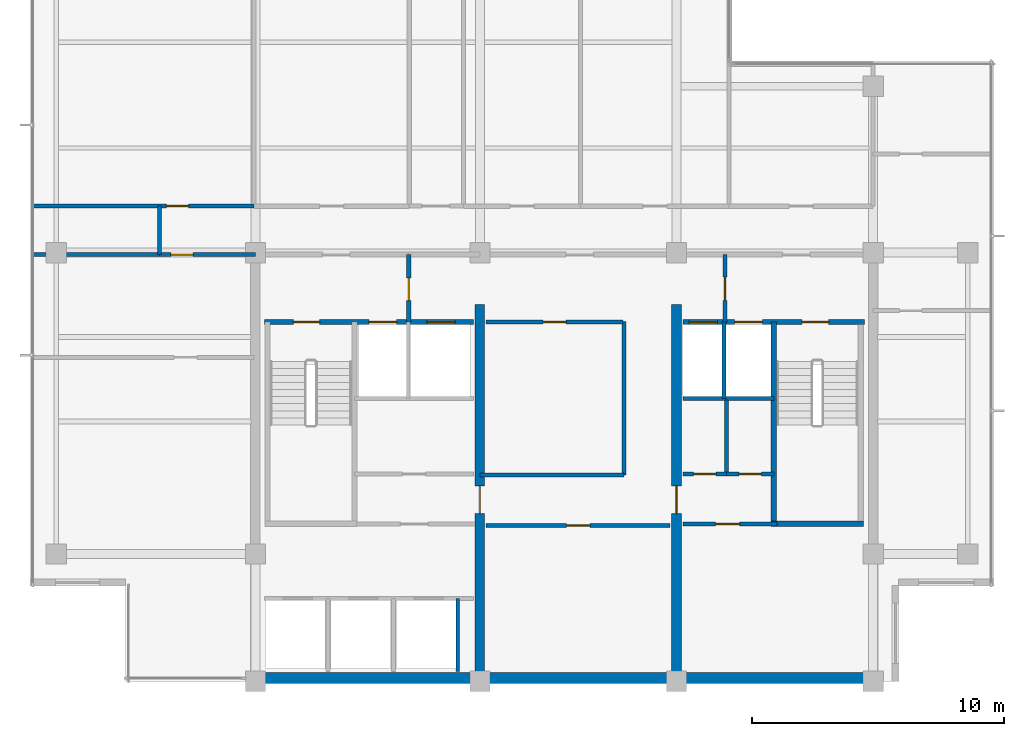
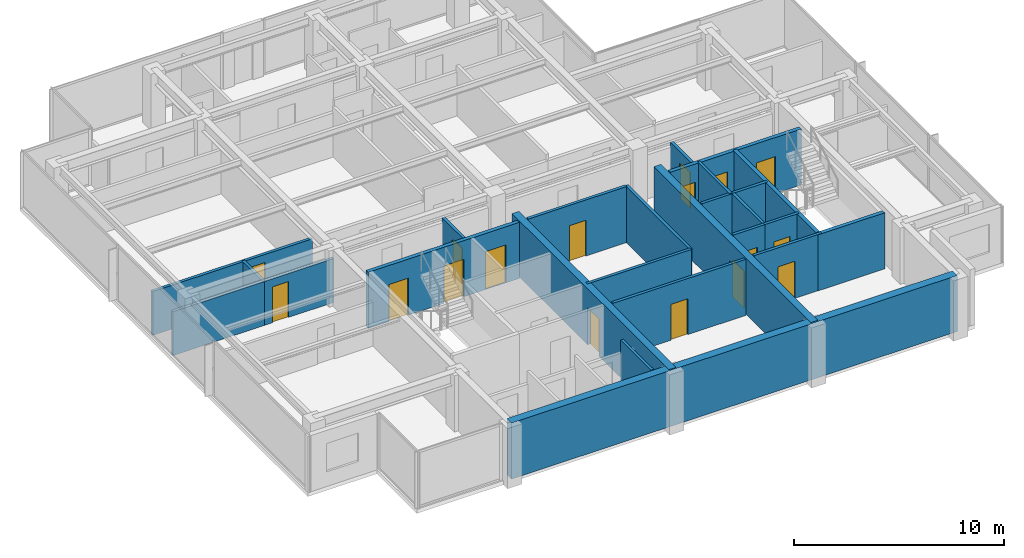
# One storey, part 6 of 11: 24 walls, 17 doors, 17 openings.
"""IFC4 building model written with IfcOpenShell, lengths in metres."""

from ifc_helpers import new_model, si_unit, direction, frame, frame_2d, origin, place, context, subcontext, project, spatial, rectangle, extrude, material, layer, layer_set, type_object, element, fill, save


model = new_model("IFC4")

# Units and contexts
model_context = context("Model", 3, precision=1e-05, world=origin(), true_north=direction((0.0, 1.0)))
body_context = subcontext(model_context, "Body", "Model", "MODEL_VIEW")
ifc_project = project(units=[si_unit("LENGTHUNIT", "METRE"), si_unit("AREAUNIT", "SQUARE_METRE"), si_unit("VOLUMEUNIT", "CUBIC_METRE"), si_unit("PLANEANGLEUNIT", "RADIAN"), si_unit("MASSUNIT", "GRAM", prefix="KILO")], contexts=[model_context])

# Site, building, storey
site_placement = place(None, origin())
site = spatial("IfcSite", under=ifc_project, at=site_placement, CompositionType="ELEMENT")
building_placement = place(site_placement, origin())
building = spatial("IfcBuilding", under=site, at=building_placement, Name="Qalmaran Belvedere Hotel", CompositionType="ELEMENT")
storey_placement = place(building_placement, frame((0.0, 0.0, 263.39990234375)))
storey = spatial("IfcBuildingStorey", under=building, at=storey_placement, Name="L68", CompositionType="ELEMENT", Elevation=263.39990234375)

# Wall, opening, door
ifc_material_1 = material(Name="Concrete C50/60", Category="concrete")
ifc_layer_1 = layer(ifc_material_1, 0.3798828125, Name="Concrete C50/60")
ifc_layer_set_1 = layer_set([ifc_layer_1], Name="Concrete C50/60")
wall_type_1 = type_object("IfcWallType", Name="WL-CORE-380-C50", PredefinedType="SHEAR", material=ifc_layer_set_1)
wall_1_placement = place(storey_placement, frame((29.199951171875, 3.5, 0.0), z_axis=(0.0, 0.0, 1.0), x_axis=(0.0, 1.0, 0.0)))
wall_1 = element("IfcWall", 1, at=wall_1_placement, inside=storey, type_object=wall_type_1, Name="L68 Core West Spine Shear Wall", PredefinedType="SHEAR", context=body_context, shape_type="SweptSolid", body=[
    extrude(rectangle(XDim=14.949951171875, YDim=0.3798828125, at=frame_2d((7.47509765625, 0.0))), origin(), (0.0, 0.0, 1.0), 3.260009765625),
])
opening_1_placement = place(wall_1_placement, frame((7.75, 0.0, 0.0), z_axis=(0.0, 0.0, 1.0), x_axis=(-1.0, 0.0, 0.0)))
opening_1 = element("IfcOpeningElement", 2, at=opening_1_placement, cuts=wall_1, Name="Opening FD90", PredefinedType="OPENING", context=body_context, shape_type="SweptSolid", body=[
    extrude(rectangle(XDim=1.10009765625, YDim=2.14990234375, at=frame_2d((0.550048828125, 1.074951171875))), frame((0.0, 0.199951171875, 0.0), z_axis=(0.0, -1.0, 0.0), x_axis=(1.0, 0.0, 0.0)), (0.0, 0.0, 1.0), 0.39990234375),
])
ifc_material_2 = material(Name="Steel S355JR", Category="steel")
door_type_1 = type_object("IfcDoorType", Name="DR-FD90-1100X2150", OperationType="NOTDEFINED", PredefinedType="DOOR", material=ifc_material_2)
door_1_placement = place(opening_1_placement, origin())
door_1 = element("IfcDoor", 3, at=door_1_placement, inside=storey, type_object=door_type_1, Name="L68 Core West Cross-Lobby Door", OperationType="SINGLE_SWING_LEFT", OverallHeight=2.14990234375, OverallWidth=1.10009765625, PredefinedType="DOOR", context=body_context, shape_type="SweptSolid", body=[
    extrude(rectangle(XDim=1.10009765625, YDim=2.14990234375, at=frame_2d((0.550048828125, 1.074951171875))), frame((0.0, 0.02490234375, 0.0), z_axis=(0.0, -1.0, 0.0), x_axis=(1.0, 0.0, 0.0)), (0.0, 0.0, 1.0), 0.050048828125),
])
fill(opening_1, door_1)

wall_2_placement = place(storey_placement, frame((37.0, 3.5, 0.0), z_axis=(0.0, 0.0, 1.0), x_axis=(0.0, 1.0, 0.0)))
wall_2 = element("IfcWall", 4, at=wall_2_placement, inside=storey, type_object=wall_type_1, Name="L68 Core East Spine Shear Wall", PredefinedType="SHEAR", context=body_context, shape_type="SweptSolid", body=[
    extrude(rectangle(XDim=14.949951171875, YDim=0.3798828125, at=frame_2d((7.47509765625, 0.0))), origin(), (0.0, 0.0, 1.0), 3.260009765625),
])
opening_2_placement = place(wall_2_placement, frame((6.64990234375, 0.0, 0.0)))
opening_2 = element("IfcOpeningElement", 5, at=opening_2_placement, cuts=wall_2, Name="Opening FD90", PredefinedType="OPENING", context=body_context, shape_type="SweptSolid", body=[
    extrude(rectangle(XDim=1.10009765625, YDim=2.14990234375, at=frame_2d((0.550048828125, 1.074951171875))), frame((0.0, 0.199951171875, 0.0), z_axis=(0.0, -1.0, 0.0), x_axis=(1.0, 0.0, 0.0)), (0.0, 0.0, 1.0), 0.39990234375),
])
door_2_placement = place(opening_2_placement, origin())
door_2 = element("IfcDoor", 6, at=door_2_placement, inside=storey, type_object=door_type_1, Name="L68 Core East Cross-Lobby Door", OperationType="SINGLE_SWING_RIGHT", OverallHeight=2.14990234375, OverallWidth=1.10009765625, PredefinedType="DOOR", context=body_context, shape_type="SweptSolid", body=[
    extrude(rectangle(XDim=1.10009765625, YDim=2.14990234375, at=frame_2d((0.550048828125, 1.074951171875))), frame((0.0, 0.02490234375, 0.0), z_axis=(0.0, -1.0, 0.0), x_axis=(1.0, 0.0, 0.0)), (0.0, 0.0, 1.0), 0.050048828125),
])
fill(opening_2, door_2)

# Walls
ifc_layer_2 = layer(ifc_material_1, 0.43994140625, Name="Concrete C50/60")
ifc_layer_set_2 = layer_set([ifc_layer_2], Name="Concrete C50/60")
wall_type_2 = type_object("IfcWallType", Name="WL-CORES-440-EXT", PredefinedType="SHEAR", material=ifc_layer_set_2)
wall_3_placement = place(storey_placement, frame((20.300048828125, 3.6298828125, 0.0), z_axis=(0.0, 0.0, 1.0), x_axis=(1.0, 0.0, 0.0)))
element("IfcWall", 7, at=wall_3_placement, inside=storey, type_object=wall_type_2, Name="L68 South Core Shear Wall", PredefinedType="SHEAR", context=body_context, shape_type="SweptSolid", body=[
    extrude(rectangle(XDim=24.5, YDim=0.43994140625, at=frame_2d((12.25, 0.0))), origin(), (0.0, 0.0, 1.0), 3.260009765625),
])
ifc_material_3 = material(Name="Gypsum Stud Partition")
ifc_layer_3 = layer(ifc_material_3, 0.14990234375, Name="Gypsum Stud Partition")
ifc_layer_set_3 = layer_set([ifc_layer_3], Name="Gypsum Stud Partition")
wall_type_3 = type_object("IfcWallType", Name="WL-INT-150-EI120", PredefinedType="PARTITIONING", material=ifc_layer_set_3)
wall_4_placement = place(storey_placement, frame((38.8798828125, 14.719970703125, 0.0), z_axis=(0.0, 0.0, 1.0), x_axis=(0.0, 1.0, 0.0)))
element("IfcWall", 8, at=wall_4_placement, inside=storey, type_object=wall_type_3, Name="L68 Partition WL-FF2M-L68", PredefinedType="PARTITIONING", context=body_context, shape_type="SweptSolid", body=[
    extrude(rectangle(XDim=3.0400390625, YDim=0.14990234375, at=frame_2d((1.52001953125, 0.0))), origin(), (0.0, 0.0, 1.0), 3.260009765625),
])
wall_5_placement = place(storey_placement, frame((28.320068359375, 3.89990234375, 0.0), z_axis=(0.0, 0.0, 1.0), x_axis=(0.0, 1.0, 0.0)))
element("IfcWall", 9, at=wall_5_placement, inside=storey, type_object=wall_type_3, Name="L68 Partition WL-POM3-L68", PredefinedType="PARTITIONING", context=body_context, shape_type="SweptSolid", body=[
    extrude(rectangle(XDim=2.880126953125, YDim=0.14990234375, at=frame_2d((1.43994140625, 0.0))), origin(), (0.0, 0.0, 1.0), 3.260009765625),
])
ifc_layer_4 = layer(ifc_material_3, 0.14990234375, Name="Gypsum Stud Partition")
ifc_layer_set_4 = layer_set([ifc_layer_4], Name="Gypsum Stud Partition")
wall_type_4 = type_object("IfcWallType", Name="WL-INT-150-EI60", PredefinedType="PARTITIONING", material=ifc_layer_set_4)
wall_6_placement = place(storey_placement, frame((38.98291015625, 11.719970703125, 0.0), z_axis=(0.0, 0.0, 1.0), x_axis=(0.0, 1.0, 0.0)))
element("IfcWall", 10, at=wall_6_placement, inside=storey, type_object=wall_type_4, Name="L68 Partition WL-L68-KEV1", PredefinedType="PARTITIONING", context=body_context, shape_type="SweptSolid", body=[
    extrude(rectangle(XDim=2.929931640625, YDim=0.14990234375, at=frame_2d((1.46484375, 0.0))), origin(), (0.0, 0.0, 1.0), 3.260009765625),
])

# Wall, opening, door
ifc_layer_5 = layer(ifc_material_3, 0.159912109375, Name="Gypsum Stud Partition")
ifc_layer_set_5 = layer_set([ifc_layer_5], Name="Gypsum Stud Partition")
wall_type_5 = type_object("IfcWallType", Name="WL-INT-160-EI120", PredefinedType="PARTITIONING", material=ifc_layer_set_5)
wall_7_placement = place(storey_placement, frame((26.3798828125, 17.760009765625, 0.0), z_axis=(0.0, 0.0, 1.0), x_axis=(0.0, 1.0, 0.0)))
wall_7 = element("IfcWall", 11, at=wall_7_placement, inside=storey, type_object=wall_type_5, Name="L68 Partition WL-FFSV1-L68", PredefinedType="PARTITIONING", context=body_context, shape_type="SweptSolid", body=[
    extrude(rectangle(XDim=2.659912109375, YDim=0.159912109375, at=frame_2d((1.330078125, 0.0))), origin(), (0.0, 0.0, 1.0), 2.781982421875),
])
opening_3_placement = place(wall_7_placement, frame((0.85009765625, 0.0, 0.0)))
opening_3 = element("IfcOpeningElement", 12, at=opening_3_placement, cuts=wall_7, Name="Opening FD60B", PredefinedType="OPENING", context=body_context, shape_type="SweptSolid", body=[
    extrude(rectangle(XDim=0.8798828125, YDim=2.080078125, at=frame_2d((0.43994140625, 1.0400390625))), frame((0.0, 0.08984375, 0.0), z_axis=(0.0, -1.0, 0.0), x_axis=(1.0, 0.0, 0.0)), (0.0, 0.0, 1.0), 0.179931640625),
])
door_type_2 = type_object("IfcDoorType", Name="DR-FD60B-880X2080", OperationType="NOTDEFINED", PredefinedType="DOOR", material=ifc_material_2)
door_3_placement = place(opening_3_placement, origin())
door_3 = element("IfcDoor", 13, at=door_3_placement, inside=storey, type_object=door_type_2, Name="L68 Service Lobby West Door", OperationType="SINGLE_SWING_LEFT", OverallHeight=2.080078125, OverallWidth=0.8798828125, PredefinedType="DOOR", context=body_context, shape_type="SweptSolid", body=[
    extrude(rectangle(XDim=0.8798828125, YDim=2.080078125, at=frame_2d((0.43994140625, 1.0400390625))), frame((0.0, 0.02490234375, 0.0), z_axis=(0.0, -1.0, 0.0), x_axis=(1.0, 0.0, 0.0)), (0.0, 0.0, 1.0), 0.050048828125),
])
fill(opening_3, door_3)

wall_8_placement = place(storey_placement, frame((38.919921875, 17.760009765625, 0.0), z_axis=(0.0, 0.0, 1.0), x_axis=(0.0, 1.0, 0.0)))
wall_8 = element("IfcWall", 14, at=wall_8_placement, inside=storey, type_object=wall_type_5, Name="L68 Partition WL-FFSV2-L68", PredefinedType="PARTITIONING", context=body_context, shape_type="SweptSolid", body=[
    extrude(rectangle(XDim=2.659912109375, YDim=0.159912109375, at=frame_2d((1.330078125, 0.0))), origin(), (0.0, 0.0, 1.0), 2.781982421875),
])
opening_4_placement = place(wall_8_placement, frame((1.77001953125, 0.0, 0.0), z_axis=(0.0, 0.0, 1.0), x_axis=(-1.0, 0.0, 0.0)))
opening_4 = element("IfcOpeningElement", 15, at=opening_4_placement, cuts=wall_8, Name="Opening FD60S1", PredefinedType="OPENING", context=body_context, shape_type="SweptSolid", body=[
    extrude(rectangle(XDim=0.919921875, YDim=2.080078125, at=frame_2d((0.4599609375, 1.0400390625))), frame((0.0, 0.08984375, 0.0), z_axis=(0.0, -1.0, 0.0), x_axis=(1.0, 0.0, 0.0)), (0.0, 0.0, 1.0), 0.179931640625),
])
ifc_material_4 = material(Name="Engineered Oak Veneer")
door_type_3 = type_object("IfcDoorType", Name="DR-FD60S-920X2080", OperationType="NOTDEFINED", PredefinedType="DOOR", material=ifc_material_4)
door_4_placement = place(opening_4_placement, origin())
door_4 = element("IfcDoor", 16, at=door_4_placement, inside=storey, type_object=door_type_3, Name="L68 Service Lobby East Door", OperationType="SINGLE_SWING_RIGHT", OverallHeight=2.080078125, OverallWidth=0.919921875, PredefinedType="DOOR", context=body_context, shape_type="SweptSolid", body=[
    extrude(rectangle(XDim=0.919921875, YDim=2.080078125, at=frame_2d((0.4599609375, 1.0400390625))), frame((0.0, 0.02490234375, 0.0), z_axis=(0.0, -1.0, 0.0), x_axis=(1.0, 0.0, 0.0)), (0.0, 0.0, 1.0), 0.050048828125),
])
fill(opening_4, door_4)

# Wall
wall_9_placement = place(storey_placement, frame((37.25, 14.719970703125, 0.0), z_axis=(0.0, 0.0, 1.0), x_axis=(1.0, 0.0, 0.0)))
element("IfcWall", 17, at=wall_9_placement, inside=storey, type_object=wall_type_5, Name="L68 Partition WL-FF2S-L68", PredefinedType="PARTITIONING", context=body_context, shape_type="SweptSolid", body=[
    extrude(rectangle(XDim=3.610107421875, YDim=0.159912109375, at=frame_2d((1.80517578125, 0.0))), origin(), (0.0, 0.0, 1.0), 3.260009765625),
])

# Wall, opening, door
ifc_layer_6 = layer(ifc_material_3, 0.159912109375, Name="Gypsum Stud Partition")
ifc_layer_set_6 = layer_set([ifc_layer_6], Name="Gypsum Stud Partition")
wall_type_6 = type_object("IfcWallType", Name="WL-INT-160-EI60", PredefinedType="PARTITIONING", material=ifc_layer_set_6)
wall_10_placement = place(storey_placement, frame((37.25, 11.719970703125, 0.0), z_axis=(0.0, 0.0, 1.0), x_axis=(1.0, 0.0, 0.0)))
wall_10 = element("IfcWall", 18, at=wall_10_placement, inside=storey, type_object=wall_type_6, Name="L68 Partition WL-L68-KEE1", PredefinedType="PARTITIONING", context=body_context, shape_type="SweptSolid", body=[
    extrude(rectangle(XDim=1.73291015625, YDim=0.159912109375, at=frame_2d((0.866455078125, 0.0))), origin(), (0.0, 0.0, 1.0), 3.260009765625),
])
opening_5_placement = place(wall_10_placement, frame((0.426513671875, 0.0, 0.0)))
opening_5 = element("IfcOpeningElement", 19, at=opening_5_placement, cuts=wall_10, Name="Opening FD60B", PredefinedType="OPENING", context=body_context, shape_type="SweptSolid", body=[
    extrude(rectangle(XDim=0.8798828125, YDim=2.080078125, at=frame_2d((0.43994140625, 1.0400390625))), frame((0.0, 0.08984375, 0.0), z_axis=(0.0, -1.0, 0.0), x_axis=(1.0, 0.0, 0.0)), (0.0, 0.0, 1.0), 0.179931640625),
])
door_5_placement = place(opening_5_placement, origin())
door_5 = element("IfcDoor", 20, at=door_5_placement, inside=storey, type_object=door_type_2, Name="L68 Cleaner Equipment Store Door", OperationType="SINGLE_SWING_LEFT", OverallHeight=2.080078125, OverallWidth=0.8798828125, PredefinedType="DOOR", context=body_context, shape_type="SweptSolid", body=[
    extrude(rectangle(XDim=0.8798828125, YDim=2.080078125, at=frame_2d((0.43994140625, 1.0400390625))), frame((0.0, 0.02490234375, 0.0), z_axis=(0.0, -1.0, 0.0), x_axis=(1.0, 0.0, 0.0)), (0.0, 0.0, 1.0), 0.050048828125),
])
fill(opening_5, door_5)

wall_11_placement = place(storey_placement, frame((38.98291015625, 11.719970703125, 0.0), z_axis=(0.0, 0.0, 1.0), x_axis=(1.0, 0.0, 0.0)))
wall_11 = element("IfcWall", 21, at=wall_11_placement, inside=storey, type_object=wall_type_6, Name="L68 Partition WL-L68-KEE2", PredefinedType="PARTITIONING", context=body_context, shape_type="SweptSolid", body=[
    extrude(rectangle(XDim=1.877197265625, YDim=0.159912109375, at=frame_2d((0.9384765625, 0.0))), origin(), (0.0, 0.0, 1.0), 3.260009765625),
])
opening_6_placement = place(wall_11_placement, frame((0.49853515625, 0.0, 0.0)))
opening_6 = element("IfcOpeningElement", 22, at=opening_6_placement, cuts=wall_11, Name="Opening FD60B", PredefinedType="OPENING", context=body_context, shape_type="SweptSolid", body=[
    extrude(rectangle(XDim=0.8798828125, YDim=2.080078125, at=frame_2d((0.43994140625, 1.0400390625))), frame((0.0, 0.08984375, 0.0), z_axis=(0.0, -1.0, 0.0), x_axis=(1.0, 0.0, 0.0)), (0.0, 0.0, 1.0), 0.179931640625),
])
door_6_placement = place(opening_6_placement, origin())
door_6 = element("IfcDoor", 23, at=door_6_placement, inside=storey, type_object=door_type_2, Name="L68 Low Voltage Switch Room Door", OperationType="SINGLE_SWING_RIGHT", OverallHeight=2.080078125, OverallWidth=0.8798828125, PredefinedType="DOOR", context=body_context, shape_type="SweptSolid", body=[
    extrude(rectangle(XDim=0.8798828125, YDim=2.080078125, at=frame_2d((0.43994140625, 1.0400390625))), frame((0.0, 0.02490234375, 0.0), z_axis=(0.0, -1.0, 0.0), x_axis=(1.0, 0.0, 0.0)), (0.0, 0.0, 1.0), 0.050048828125),
])
fill(opening_6, door_6)

wall_12_placement = place(storey_placement, frame((37.25, 9.739990234375, 0.0), z_axis=(0.0, 0.0, 1.0), x_axis=(1.0, 0.0, 0.0)))
wall_12 = element("IfcWall", 24, at=wall_12_placement, inside=storey, type_object=wall_type_6, Name="L68 Partition WL-PHFR-L68", PredefinedType="PARTITIONING", context=body_context, shape_type="SweptSolid", body=[
    extrude(rectangle(XDim=3.72998046875, YDim=0.159912109375, at=frame_2d((1.864990234375, 0.0))), origin(), (0.0, 0.0, 1.0), 3.260009765625),
])
opening_7_placement = place(wall_12_placement, frame((2.25, 0.0, 0.0), z_axis=(0.0, 0.0, 1.0), x_axis=(-1.0, 0.0, 0.0)))
opening_7 = element("IfcOpeningElement", 25, at=opening_7_placement, cuts=wall_12, Name="Opening FD60", PredefinedType="OPENING", context=body_context, shape_type="SweptSolid", body=[
    extrude(rectangle(XDim=0.949951171875, YDim=2.14990234375, at=frame_2d((0.47509765625, 1.074951171875))), frame((0.0, 0.08984375, 0.0), z_axis=(0.0, -1.0, 0.0), x_axis=(1.0, 0.0, 0.0)), (0.0, 0.0, 1.0), 0.179931640625),
])
door_type_4 = type_object("IfcDoorType", Name="DR-FD60-950X2150", OperationType="NOTDEFINED", PredefinedType="DOOR", material=ifc_material_4)
door_7_placement = place(opening_7_placement, origin())
door_7 = element("IfcDoor", 26, at=door_7_placement, inside=storey, type_object=door_type_4, Name="L68 Freed PH Room Door", OperationType="SINGLE_SWING_RIGHT", OverallHeight=2.14990234375, OverallWidth=0.949951171875, PredefinedType="DOOR", context=body_context, shape_type="SweptSolid", body=[
    extrude(rectangle(XDim=0.949951171875, YDim=2.14990234375, at=frame_2d((0.47509765625, 1.074951171875))), frame((0.0, 0.02490234375, 0.0), z_axis=(0.0, -1.0, 0.0), x_axis=(1.0, 0.0, 0.0)), (0.0, 0.0, 1.0), 0.050048828125),
])
fill(opening_7, door_7)

# Wall
wall_13_placement = place(storey_placement, frame((34.919921875, 11.679931640625, 0.0), z_axis=(0.0, 0.0, 1.0), x_axis=(0.0, 1.0, 0.0)))
element("IfcWall", 27, at=wall_13_placement, inside=storey, type_object=wall_type_6, Name="L68 Partition WL-CLLV-L68", PredefinedType="PARTITIONING", context=body_context, shape_type="SweptSolid", body=[
    extrude(rectangle(XDim=6.10009765625, YDim=0.159912109375, at=frame_2d((3.050048828125, 0.0))), origin(), (0.0, 0.0, 1.0), 3.260009765625),
])

# Wall, opening, door
wall_14_placement = place(storey_placement, frame((29.449951171875, 9.679931640625, 0.0), z_axis=(0.0, 0.0, 1.0), x_axis=(1.0, 0.0, 0.0)))
wall_14 = element("IfcWall", 28, at=wall_14_placement, inside=storey, type_object=wall_type_6, Name="L68 Partition WL-L68-KPLE1", PredefinedType="PARTITIONING", context=body_context, shape_type="SweptSolid", body=[
    extrude(rectangle(XDim=7.300048828125, YDim=0.159912109375, at=frame_2d((3.64990234375, 0.0))), origin(), (0.0, 0.0, 1.0), 3.260009765625),
])
opening_8_placement = place(wall_14_placement, frame((4.10986328125, 0.0, 0.0), z_axis=(0.0, 0.0, 1.0), x_axis=(-1.0, 0.0, 0.0)))
opening_8 = element("IfcOpeningElement", 29, at=opening_8_placement, cuts=wall_14, Name="Opening FD60S1", PredefinedType="OPENING", context=body_context, shape_type="SweptSolid", body=[
    extrude(rectangle(XDim=0.919921875, YDim=2.080078125, at=frame_2d((0.4599609375, 1.0400390625))), frame((0.0, 0.08984375, 0.0), z_axis=(0.0, -1.0, 0.0), x_axis=(1.0, 0.0, 0.0)), (0.0, 0.0, 1.0), 0.179931640625),
])
door_8_placement = place(opening_8_placement, origin())
door_8 = element("IfcDoor", 30, at=door_8_placement, inside=storey, type_object=door_type_3, Name="L68 Housekeeping and Linen Room Door", OperationType="SINGLE_SWING_LEFT", OverallHeight=2.080078125, OverallWidth=0.919921875, PredefinedType="DOOR", context=body_context, shape_type="SweptSolid", body=[
    extrude(rectangle(XDim=0.919921875, YDim=2.080078125, at=frame_2d((0.4599609375, 1.0400390625))), frame((0.0, 0.02490234375, 0.0), z_axis=(0.0, -1.0, 0.0), x_axis=(1.0, 0.0, 0.0)), (0.0, 0.0, 1.0), 0.050048828125),
])
fill(opening_8, door_8)

# Wall
wall_15_placement = place(storey_placement, frame((29.199951171875, 11.679931640625, 0.0), z_axis=(0.0, 0.0, 1.0), x_axis=(1.0, 0.0, 0.0)))
element("IfcWall", 31, at=wall_15_placement, inside=storey, type_object=wall_type_6, Name="L68 Partition WL-PMFS-L68", PredefinedType="PARTITIONING", context=body_context, shape_type="SweptSolid", body=[
    extrude(rectangle(XDim=5.719970703125, YDim=0.159912109375, at=frame_2d((2.85986328125, 0.0))), origin(), (0.0, 0.0, 1.0), 3.260009765625),
])

# Wall, opening, door
wall_16_placement = place(storey_placement, frame((29.449951171875, 17.75, 0.0), z_axis=(0.0, 0.0, 1.0), x_axis=(1.0, 0.0, 0.0)))
wall_16 = element("IfcWall", 32, at=wall_16_placement, inside=storey, type_object=wall_type_6, Name="L68 Partition WL-L68-KPME1", PredefinedType="PARTITIONING", context=body_context, shape_type="SweptSolid", body=[
    extrude(rectangle(XDim=5.429931640625, YDim=0.159912109375, at=frame_2d((2.71484375, 0.0))), origin(), (0.0, 0.0, 1.0), 3.260009765625),
])
opening_9_placement = place(wall_16_placement, frame((3.1748046875, 0.0, 0.0), z_axis=(0.0, 0.0, 1.0), x_axis=(-1.0, 0.0, 0.0)))
opening_9 = element("IfcOpeningElement", 33, at=opening_9_placement, cuts=wall_16, Name="Opening FD60S1", PredefinedType="OPENING", context=body_context, shape_type="SweptSolid", body=[
    extrude(rectangle(XDim=0.919921875, YDim=2.080078125, at=frame_2d((0.4599609375, 1.0400390625))), frame((0.0, 0.08984375, 0.0), z_axis=(0.0, -1.0, 0.0), x_axis=(1.0, 0.0, 0.0)), (0.0, 0.0, 1.0), 0.179931640625),
])
door_9_placement = place(opening_9_placement, origin())
door_9 = element("IfcDoor", 34, at=door_9_placement, inside=storey, type_object=door_type_3, Name="L68 Executive Butler Pantry Door", OperationType="SINGLE_SWING_RIGHT", OverallHeight=2.080078125, OverallWidth=0.919921875, PredefinedType="DOOR", context=body_context, shape_type="SweptSolid", body=[
    extrude(rectangle(XDim=0.919921875, YDim=2.080078125, at=frame_2d((0.4599609375, 1.0400390625))), frame((0.0, 0.02490234375, 0.0), z_axis=(0.0, -1.0, 0.0), x_axis=(1.0, 0.0, 0.0)), (0.0, 0.0, 1.0), 0.050048828125),
])
fill(opening_9, door_9)

# Wall
wall_17_placement = place(storey_placement, frame((11.469970703125, 20.419921875, 0.0), z_axis=(0.0, 0.0, 1.0), x_axis=(1.0, 0.0, 0.0)))
element("IfcWall", 35, at=wall_17_placement, inside=storey, type_object=wall_type_6, Name="L68 Partition WL-L68-C4WS1", PredefinedType="PARTITIONING", context=body_context, shape_type="SweptSolid", body=[
    extrude(rectangle(XDim=5.030029296875, YDim=0.159912109375, at=frame_2d((2.51513671875, 0.0))), origin(), (0.0, 0.0, 1.0), 2.550048828125),
])

# Wall, opening, door
wall_18_placement = place(storey_placement, frame((16.5, 20.419921875, 0.0), z_axis=(0.0, 0.0, 1.0), x_axis=(1.0, 0.0, 0.0)))
wall_18 = element("IfcWall", 36, at=wall_18_placement, inside=storey, type_object=wall_type_6, Name="L68 Partition WL-L68-C4WS2", PredefinedType="PARTITIONING", context=body_context, shape_type="SweptSolid", body=[
    extrude(rectangle(XDim=3.800048828125, YDim=0.159912109375, at=frame_2d((1.89990234375, 0.0))), origin(), (0.0, 0.0, 1.0), 2.550048828125),
])
opening_10_placement = place(wall_18_placement, frame((1.329833984375, 0.0, 0.0), z_axis=(0.0, 0.0, 1.0), x_axis=(-1.0, 0.0, 0.0)))
opening_10 = element("IfcOpeningElement", 37, at=opening_10_placement, cuts=wall_18, Name="Opening FD60B", PredefinedType="OPENING", context=body_context, shape_type="SweptSolid", body=[
    extrude(rectangle(XDim=0.8798828125, YDim=2.080078125, at=frame_2d((0.43994140625, 1.0400390625))), frame((0.0, 0.08984375, 0.0), z_axis=(0.0, -1.0, 0.0), x_axis=(1.0, 0.0, 0.0)), (0.0, 0.0, 1.0), 0.179931640625),
])
door_10_placement = place(opening_10_placement, origin())
door_10 = element("IfcDoor", 38, at=door_10_placement, inside=storey, type_object=door_type_2, Name="L68 West Salon Door", OperationType="SINGLE_SWING_RIGHT", OverallHeight=2.080078125, OverallWidth=0.8798828125, PredefinedType="DOOR", context=body_context, shape_type="SweptSolid", body=[
    extrude(rectangle(XDim=0.8798828125, YDim=2.080078125, at=frame_2d((0.43994140625, 1.0400390625))), frame((0.0, 0.02490234375, 0.0), z_axis=(0.0, -1.0, 0.0), x_axis=(1.0, 0.0, 0.0)), (0.0, 0.0, 1.0), 0.050048828125),
])
fill(opening_10, door_10)

# Wall
wall_19_placement = place(storey_placement, frame((16.5, 20.419921875, 0.0), z_axis=(0.0, 0.0, 1.0), x_axis=(0.0, 1.0, 0.0)))
element("IfcWall", 39, at=wall_19_placement, inside=storey, type_object=wall_type_6, Name="L68 Partition WL-L68-C4WW", PredefinedType="PARTITIONING", context=body_context, shape_type="SweptSolid", body=[
    extrude(rectangle(XDim=1.93017578125, YDim=0.159912109375, at=frame_2d((0.965087890625, 0.0))), origin(), (0.0, 0.0, 1.0), 2.550048828125),
])

# Wall, opening, door
wall_20_placement = place(storey_placement, frame((11.469970703125, 22.35009765625, 0.0), z_axis=(0.0, 0.0, 1.0), x_axis=(1.0, 0.0, 0.0)))
wall_20 = element("IfcWall", 40, at=wall_20_placement, inside=storey, type_object=wall_type_6, Name="L68 Partition WL-L68-C4WN0", PredefinedType="PARTITIONING", context=body_context, shape_type="SweptSolid", body=[
    extrude(rectangle(XDim=8.780029296875, YDim=0.159912109375, at=frame_2d((4.39013671875, 0.0))), origin(), (0.0, 0.0, 1.0), 2.550048828125),
])
opening_11_placement = place(wall_20_placement, frame((5.300048828125, 0.0, 0.0)))
opening_11 = element("IfcOpeningElement", 41, at=opening_11_placement, cuts=wall_20, Name="Opening FD60B", PredefinedType="OPENING", context=body_context, shape_type="SweptSolid", body=[
    extrude(rectangle(XDim=0.8798828125, YDim=2.080078125, at=frame_2d((0.43994140625, 1.0400390625))), frame((0.0, 0.08984375, 0.0), z_axis=(0.0, -1.0, 0.0), x_axis=(1.0, 0.0, 0.0)), (0.0, 0.0, 1.0), 0.179931640625),
])
door_11_placement = place(opening_11_placement, origin())
door_11 = element("IfcDoor", 42, at=door_11_placement, inside=storey, type_object=door_type_2, Name="L68 NW Salon Door", OperationType="SINGLE_SWING_LEFT", OverallHeight=2.080078125, OverallWidth=0.8798828125, PredefinedType="DOOR", context=body_context, shape_type="SweptSolid", body=[
    extrude(rectangle(XDim=0.8798828125, YDim=2.080078125, at=frame_2d((0.43994140625, 1.0400390625))), frame((0.0, 0.02490234375, 0.0), z_axis=(0.0, -1.0, 0.0), x_axis=(1.0, 0.0, 0.0)), (0.0, 0.0, 1.0), 0.050048828125),
])
fill(opening_11, door_11)

# Wall, openings, doors
ifc_layer_7 = layer(ifc_material_1, 0.2099609375, Name="Concrete C50/60")
ifc_layer_set_7 = layer_set([ifc_layer_7], Name="Concrete C50/60")
wall_type_7 = type_object("IfcWallType", Name="WL-STAIR-210-C50", PredefinedType="SHEAR", material=ifc_layer_set_7)
wall_21_placement = place(storey_placement, frame((20.64990234375, 17.7548828125, 0.0), z_axis=(0.0, 0.0, 1.0), x_axis=(1.0, 0.0, 0.0)))
wall_21 = element("IfcWall", 43, at=wall_21_placement, inside=storey, type_object=wall_type_7, Name="L68 West Lobby and Stair ST-1 North Bearing Wall", PredefinedType="SHEAR", context=body_context, shape_type="SweptSolid", body=[
    extrude(rectangle(XDim=8.300048828125, YDim=0.2099609375, at=frame_2d((4.14990234375, 0.0))), origin(), (0.0, 0.0, 1.0), 3.260009765625),
])
opening_12_placement = place(wall_21_placement, frame((2.199951171875, 0.0, 0.0), z_axis=(0.0, 0.0, 1.0), x_axis=(-1.0, 0.0, 0.0)))
opening_12 = element("IfcOpeningElement", 44, at=opening_12_placement, cuts=wall_21, Name="Opening FD90S2", PredefinedType="OPENING", context=body_context, shape_type="SweptSolid", body=[
    extrude(rectangle(XDim=1.050048828125, YDim=2.14990234375, at=frame_2d((0.52490234375, 1.074951171875))), frame((0.0, 0.114990234375, 0.0), z_axis=(0.0, -1.0, 0.0), x_axis=(1.0, 0.0, 0.0)), (0.0, 0.0, 1.0), 0.22998046875),
])
opening_13_placement = place(wall_21_placement, frame((4.14990234375, 0.0, 0.0)))
opening_13 = element("IfcOpeningElement", 45, at=opening_13_placement, cuts=wall_21, Name="Opening LD-FF", PredefinedType="OPENING", context=body_context, shape_type="SweptSolid", body=[
    extrude(rectangle(XDim=1.10009765625, YDim=2.179931640625, at=frame_2d((0.550048828125, 1.08984375))), frame((0.0, 0.114990234375, 0.0), z_axis=(0.0, -1.0, 0.0), x_axis=(1.0, 0.0, 0.0)), (0.0, 0.0, 1.0), 0.22998046875),
])
opening_14_placement = place(wall_21_placement, frame((6.449951171875, 0.0, 0.0)))
opening_14 = element("IfcOpeningElement", 46, at=opening_14_placement, cuts=wall_21, Name="Opening LD-SV", PredefinedType="OPENING", context=body_context, shape_type="SweptSolid", body=[
    extrude(rectangle(XDim=1.1201171875, YDim=2.199951171875, at=frame_2d((0.56005859375, 1.10009765625))), frame((0.0, 0.114990234375, 0.0), z_axis=(0.0, -1.0, 0.0), x_axis=(1.0, 0.0, 0.0)), (0.0, 0.0, 1.0), 0.22998046875),
])
door_type_5 = type_object("IfcDoorType", Name="DR-FD90S-1050X2150", OperationType="NOTDEFINED", PredefinedType="DOOR", material=ifc_material_2)
door_12_placement = place(opening_12_placement, origin())
door_12 = element("IfcDoor", 47, at=door_12_placement, inside=storey, type_object=door_type_5, Name="L68 Stair ST-1 Door", OperationType="SINGLE_SWING_LEFT", OverallHeight=2.14990234375, OverallWidth=1.050048828125, PredefinedType="DOOR", context=body_context, shape_type="SweptSolid", body=[
    extrude(rectangle(XDim=1.050048828125, YDim=2.14990234375, at=frame_2d((0.52490234375, 1.074951171875))), frame((0.0, 0.02490234375, 0.0), z_axis=(0.0, -1.0, 0.0), x_axis=(1.0, 0.0, 0.0)), (0.0, 0.0, 1.0), 0.050048828125),
])
fill(opening_12, door_12)
ifc_material_5 = material(Name="Stainless Steel 1.4401", Category="steel")
door_type_6 = type_object("IfcDoorType", Name="DR-LIFT-FF-1100X2180", OperationType="DOUBLE_DOOR_SLIDING", PredefinedType="DOOR", material=ifc_material_5)
door_13_placement = place(opening_13_placement, origin())
door_13 = element("IfcDoor", 48, at=door_13_placement, inside=storey, type_object=door_type_6, Name="L68 FF1 Lift Landing Door", OperationType="DOUBLE_DOOR_SLIDING", OverallHeight=2.179931640625, OverallWidth=1.10009765625, PredefinedType="DOOR", context=body_context, shape_type="SweptSolid", body=[
    extrude(rectangle(XDim=1.10009765625, YDim=2.179931640625, at=frame_2d((0.550048828125, 1.08984375))), frame((0.0, 0.02490234375, 0.0), z_axis=(0.0, -1.0, 0.0), x_axis=(1.0, 0.0, 0.0)), (0.0, 0.0, 1.0), 0.050048828125),
])
fill(opening_13, door_13)
door_type_7 = type_object("IfcDoorType", Name="DR-LIFT-SV-1120X2200", OperationType="DOUBLE_DOOR_SLIDING", PredefinedType="DOOR", material=ifc_material_5)
door_14_placement = place(opening_14_placement, origin())
door_14 = element("IfcDoor", 49, at=door_14_placement, inside=storey, type_object=door_type_7, Name="L68 SV1 Lift Landing Door", OperationType="DOUBLE_DOOR_SLIDING", OverallHeight=2.199951171875, OverallWidth=1.1201171875, PredefinedType="DOOR", context=body_context, shape_type="SweptSolid", body=[
    extrude(rectangle(XDim=1.1201171875, YDim=2.199951171875, at=frame_2d((0.56005859375, 1.10009765625))), frame((0.0, 0.02490234375, 0.0), z_axis=(0.0, -1.0, 0.0), x_axis=(1.0, 0.0, 0.0)), (0.0, 0.0, 1.0), 0.050048828125),
])
fill(opening_14, door_14)

# Walls
wall_22_placement = place(storey_placement, frame((40.85498046875, 9.7451171875, 0.0), z_axis=(0.0, 0.0, 1.0), x_axis=(0.0, 1.0, 0.0)))
element("IfcWall", 50, at=wall_22_placement, inside=storey, type_object=wall_type_7, Name="L68 Stair ST-2 West Bearing Wall", PredefinedType="SHEAR", context=body_context, shape_type="SweptSolid", body=[
    extrude(rectangle(XDim=8.009765625, YDim=0.2099609375, at=frame_2d((4.0048828125, 0.0))), origin(), (0.0, 0.0, 1.0), 3.260009765625),
])
wall_23_placement = place(storey_placement, frame((40.75, 9.7451171875, 0.0), z_axis=(0.0, 0.0, 1.0), x_axis=(1.0, 0.0, 0.0)))
element("IfcWall", 51, at=wall_23_placement, inside=storey, type_object=wall_type_7, Name="L68 Stair ST-2 South Bearing Wall", PredefinedType="SHEAR", context=body_context, shape_type="SweptSolid", body=[
    extrude(rectangle(XDim=3.659912109375, YDim=0.2099609375, at=frame_2d((1.830078125, 0.0))), origin(), (0.0, 0.0, 1.0), 3.260009765625),
])

# Wall, openings, doors
wall_24_placement = place(storey_placement, frame((37.25, 17.7548828125, 0.0), z_axis=(0.0, 0.0, 1.0), x_axis=(1.0, 0.0, 0.0)))
wall_24 = element("IfcWall", 52, at=wall_24_placement, inside=storey, type_object=wall_type_7, Name="L68 East Lobby and Stair ST-2 North Bearing Wall", PredefinedType="SHEAR", context=body_context, shape_type="SweptSolid", body=[
    extrude(rectangle(XDim=7.199951171875, YDim=0.2099609375, at=frame_2d((3.60009765625, 0.0))), origin(), (0.0, 0.0, 1.0), 3.260009765625),
])
opening_15_placement = place(wall_24_placement, frame((0.25, 0.0, 0.0)))
opening_15 = element("IfcOpeningElement", 53, at=opening_15_placement, cuts=wall_24, Name="Opening LD-SV", PredefinedType="OPENING", context=body_context, shape_type="SweptSolid", body=[
    extrude(rectangle(XDim=1.1201171875, YDim=2.199951171875, at=frame_2d((0.56005859375, 1.10009765625))), frame((0.0, 0.114990234375, 0.0), z_axis=(0.0, -1.0, 0.0), x_axis=(1.0, 0.0, 0.0)), (0.0, 0.0, 1.0), 0.22998046875),
])
opening_16_placement = place(wall_24_placement, frame((2.050048828125, 0.0, 0.0)))
opening_16 = element("IfcOpeningElement", 54, at=opening_16_placement, cuts=wall_24, Name="Opening LD-FF", PredefinedType="OPENING", context=body_context, shape_type="SweptSolid", body=[
    extrude(rectangle(XDim=1.10009765625, YDim=2.179931640625, at=frame_2d((0.550048828125, 1.08984375))), frame((0.0, 0.114990234375, 0.0), z_axis=(0.0, -1.0, 0.0), x_axis=(1.0, 0.0, 0.0)), (0.0, 0.0, 1.0), 0.22998046875),
])
opening_17_placement = place(wall_24_placement, frame((5.780029296875, 0.0, 0.0), z_axis=(0.0, 0.0, 1.0), x_axis=(-1.0, 0.0, 0.0)))
opening_17 = element("IfcOpeningElement", 55, at=opening_17_placement, cuts=wall_24, Name="Opening FD90S2", PredefinedType="OPENING", context=body_context, shape_type="SweptSolid", body=[
    extrude(rectangle(XDim=1.050048828125, YDim=2.14990234375, at=frame_2d((0.52490234375, 1.074951171875))), frame((0.0, 0.114990234375, 0.0), z_axis=(0.0, -1.0, 0.0), x_axis=(1.0, 0.0, 0.0)), (0.0, 0.0, 1.0), 0.22998046875),
])
door_15_placement = place(opening_17_placement, origin())
door_15 = element("IfcDoor", 56, at=door_15_placement, inside=storey, type_object=door_type_5, Name="L68 Stair ST-2 Door", OperationType="SINGLE_SWING_RIGHT", OverallHeight=2.14990234375, OverallWidth=1.050048828125, PredefinedType="DOOR", context=body_context, shape_type="SweptSolid", body=[
    extrude(rectangle(XDim=1.050048828125, YDim=2.14990234375, at=frame_2d((0.52490234375, 1.074951171875))), frame((0.0, 0.02490234375, 0.0), z_axis=(0.0, -1.0, 0.0), x_axis=(1.0, 0.0, 0.0)), (0.0, 0.0, 1.0), 0.050048828125),
])
fill(opening_17, door_15)
door_16_placement = place(opening_16_placement, origin())
door_16 = element("IfcDoor", 57, at=door_16_placement, inside=storey, type_object=door_type_6, Name="L68 FF2 Lift Landing Door", OperationType="DOUBLE_DOOR_SLIDING", OverallHeight=2.179931640625, OverallWidth=1.10009765625, PredefinedType="DOOR", context=body_context, shape_type="SweptSolid", body=[
    extrude(rectangle(XDim=1.10009765625, YDim=2.179931640625, at=frame_2d((0.550048828125, 1.08984375))), frame((0.0, 0.02490234375, 0.0), z_axis=(0.0, -1.0, 0.0), x_axis=(1.0, 0.0, 0.0)), (0.0, 0.0, 1.0), 0.050048828125),
])
fill(opening_16, door_16)
door_17_placement = place(opening_15_placement, origin())
door_17 = element("IfcDoor", 58, at=door_17_placement, inside=storey, type_object=door_type_7, Name="L68 SV2 Lift Landing Door", OperationType="DOUBLE_DOOR_SLIDING", OverallHeight=2.199951171875, OverallWidth=1.1201171875, PredefinedType="DOOR", context=body_context, shape_type="SweptSolid", body=[
    extrude(rectangle(XDim=1.1201171875, YDim=2.199951171875, at=frame_2d((0.56005859375, 1.10009765625))), frame((0.0, 0.02490234375, 0.0), z_axis=(0.0, -1.0, 0.0), x_axis=(1.0, 0.0, 0.0)), (0.0, 0.0, 1.0), 0.050048828125),
])
fill(opening_15, door_17)

save(model, "model.ifc")
